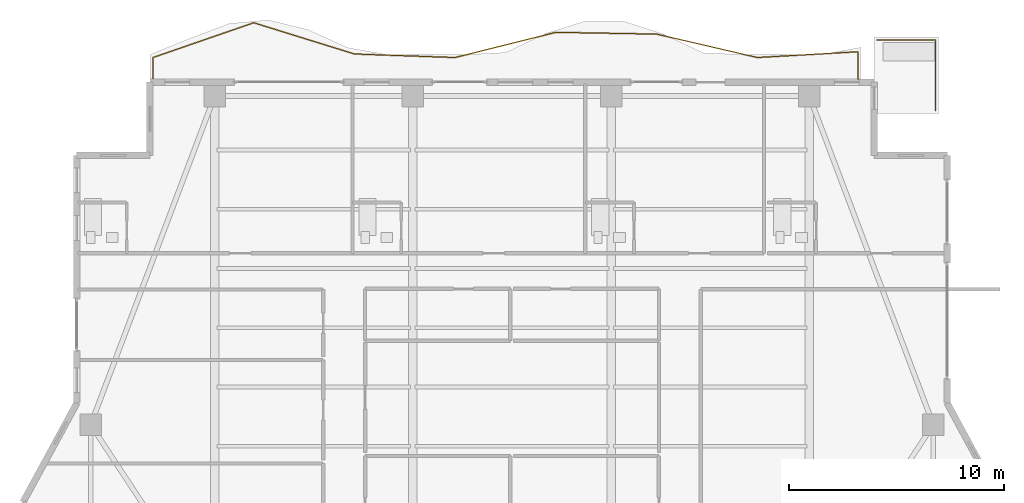
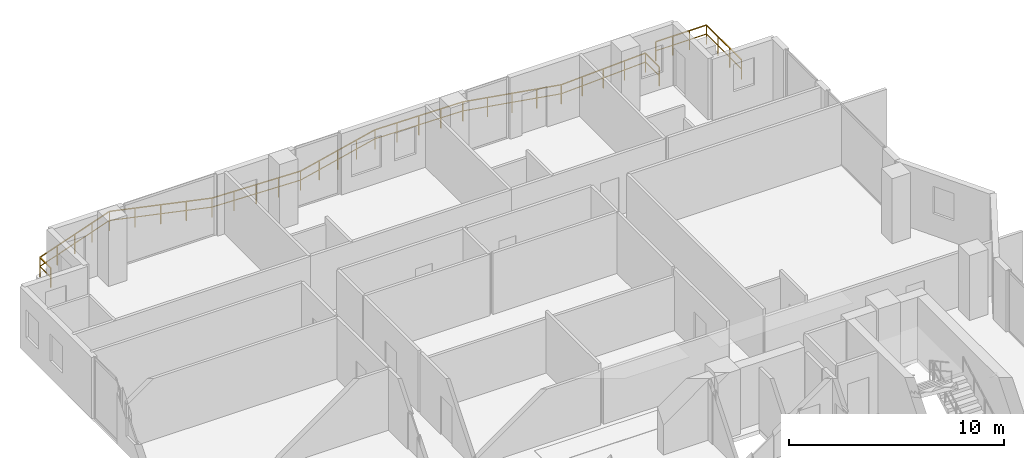
# One storey, part 23 of 24: 2 railings.
"""IFC4 building model written with IfcOpenShell, lengths in metres."""

from ifc_helpers import new_model, si_unit, direction, frame, origin, origin_2d, place, context, subcontext, project, spatial, rectangle, extrude, material, type_object, element, save


model = new_model("IFC4")

# Units and contexts
model_context = context("Model", 3, precision=1e-05, world=origin(), true_north=direction((0.0, 1.0)))
body_context = subcontext(model_context, "Body", "Model", "MODEL_VIEW")
ifc_project = project(units=[si_unit("LENGTHUNIT", "METRE"), si_unit("AREAUNIT", "SQUARE_METRE"), si_unit("VOLUMEUNIT", "CUBIC_METRE"), si_unit("PLANEANGLEUNIT", "RADIAN"), si_unit("MASSUNIT", "GRAM", prefix="KILO")], contexts=[model_context])

# Site, building, storey
site_placement = place(None, origin())
site = spatial("IfcSite", under=ifc_project, at=site_placement, CompositionType="ELEMENT")
building_placement = place(site_placement, origin())
building = spatial("IfcBuilding", under=site, at=building_placement, Name="Zuhayl Quay Hotel", CompositionType="ELEMENT")
storey_placement = place(building_placement, frame((0.0, 0.0, 269.25)))
storey = spatial("IfcBuildingStorey", under=building, at=storey_placement, Name="L68", CompositionType="ELEMENT", Elevation=269.25)

# Railings
ifc_material = material(Name="Anodised Aluminium and Laminated Glass", Category="aluminium")
railing_type = type_object("IfcRailingType", Name="RL_EXT_BAL_1100", PredefinedType="BALUSTRADE", material=ifc_material)
railing_1_placement = place(storey_placement, frame((-16.659912109375, 39.1201171875, 0.0)))
element("IfcRailing", 1, at=railing_1_placement, inside=storey, type_object=railing_type, Name="L68 Balcony and Terrace Guard GR_L68_BAL_N", PredefinedType="BALUSTRADE", context=body_context, shape_type="SweptSolid", body=[
    extrude(rectangle(XDim=0.048095703125, YDim=0.048095703125, at=origin_2d()), frame((0.0, 0.0, 1.09619140625), z_axis=(0.0, 1.0, 0.0), x_axis=(-1.0, 0.0, 0.0)), (0.0, 0.0, 1.0), 1.019775390625),
    extrude(rectangle(XDim=0.0361328125, YDim=0.0361328125, at=origin_2d()), frame((0.0, 0.0, 0.58251953125), z_axis=(0.0, 1.0, 0.0), x_axis=(-1.0, 0.0, 0.0)), (0.0, 0.0, 1.0), 1.019775390625),
    extrude(rectangle(XDim=0.048095703125, YDim=0.048095703125, at=origin_2d()), frame((0.0, 1.019775390625, 1.09619140625), z_axis=(0.945237014092, 0.326384722666, 0.0), x_axis=(-0.326384722666, 0.945237014092, 0.0)), (0.0, 0.0, 1.0), 4.945068359375),
    extrude(rectangle(XDim=0.0361328125, YDim=0.0361328125, at=origin_2d()), frame((0.0, 1.019775390625, 0.58251953125), z_axis=(0.945237014092, 0.326384722666, 0.0), x_axis=(-0.326384722666, 0.945237014092, 0.0)), (0.0, 0.0, 1.0), 4.945068359375),
    extrude(rectangle(XDim=0.048095703125, YDim=0.048095703125, at=origin_2d()), frame((4.67431640625, 2.6337890625, 1.09619140625), z_axis=(0.955090427969, -0.296314485644, 0.0), x_axis=(0.296314485644, 0.955090427969, 0.0)), (0.0, 0.0, 1.0), 4.89404296875),
    extrude(rectangle(XDim=0.0361328125, YDim=0.0361328125, at=origin_2d()), frame((4.67431640625, 2.6337890625, 0.58251953125), z_axis=(0.955090427969, -0.296314485644, 0.0), x_axis=(0.296314485644, 0.955090427969, 0.0)), (0.0, 0.0, 1.0), 4.89404296875),
    extrude(rectangle(XDim=0.048095703125, YDim=0.048095703125, at=origin_2d()), frame((9.3486328125, 1.18359375, 1.09619140625), z_axis=(0.99938637306, -0.035026808896, 0.0), x_axis=(0.035026808896, 0.99938637306, 0.0)), (0.0, 0.0, 1.0), 4.677001953125),
    extrude(rectangle(XDim=0.0361328125, YDim=0.0361328125, at=origin_2d()), frame((9.3486328125, 1.18359375, 0.58251953125), z_axis=(0.99938637306, -0.035026808896, 0.0), x_axis=(0.035026808896, 0.99938637306, 0.0)), (0.0, 0.0, 1.0), 4.677001953125),
    extrude(rectangle(XDim=0.048095703125, YDim=0.048095703125, at=origin_2d()), frame((14.022705078125, 1.019775390625, 1.09619140625), z_axis=(0.970029143549, 0.242988601925, 0.0), x_axis=(-0.242988601925, 0.970029143549, 0.0)), (0.0, 0.0, 1.0), 4.81884765625),
    extrude(rectangle(XDim=0.0361328125, YDim=0.0361328125, at=origin_2d()), frame((14.022705078125, 1.019775390625, 0.58251953125), z_axis=(0.970029143549, 0.242988601925, 0.0), x_axis=(-0.242988601925, 0.970029143549, 0.0)), (0.0, 0.0, 1.0), 4.81884765625),
    extrude(rectangle(XDim=0.048095703125, YDim=0.048095703125, at=origin_2d()), frame((18.697021484375, 2.190673828125, 1.09619140625), z_axis=(0.999838628942, -0.017964300029, 0.0), x_axis=(0.017964300029, 0.999838628942, 0.0)), (0.0, 0.0, 1.0), 4.675048828125),
    extrude(rectangle(XDim=0.0361328125, YDim=0.0361328125, at=origin_2d()), frame((18.697021484375, 2.190673828125, 0.58251953125), z_axis=(0.999838628942, -0.017964300029, 0.0), x_axis=(0.017964300029, 0.999838628942, 0.0)), (0.0, 0.0, 1.0), 4.675048828125),
    extrude(rectangle(XDim=0.048095703125, YDim=0.048095703125, at=origin_2d()), frame((23.371337890625, 2.106689453125, 1.09619140625), z_axis=(0.974014291171, -0.226486557207, 0.0), x_axis=(0.226486557207, 0.974014291171, 0.0)), (0.0, 0.0, 1.0), 4.799072265625),
    extrude(rectangle(XDim=0.0361328125, YDim=0.0361328125, at=origin_2d()), frame((23.371337890625, 2.106689453125, 0.58251953125), z_axis=(0.974014291171, -0.226486557207, 0.0), x_axis=(0.226486557207, 0.974014291171, 0.0)), (0.0, 0.0, 1.0), 4.799072265625),
    extrude(rectangle(XDim=0.048095703125, YDim=0.048095703125, at=origin_2d()), frame((28.045654296875, 1.019775390625, 1.09619140625), z_axis=(0.998350649174, 0.057410637456, 0.0), x_axis=(-0.057410637456, 0.998350649174, 0.0)), (0.0, 0.0, 1.0), 4.68212890625),
    extrude(rectangle(XDim=0.0361328125, YDim=0.0361328125, at=origin_2d()), frame((28.045654296875, 1.019775390625, 0.58251953125), z_axis=(0.998350649174, 0.057410637456, 0.0), x_axis=(-0.057410637456, 0.998350649174, 0.0)), (0.0, 0.0, 1.0), 4.68212890625),
    extrude(rectangle(XDim=0.048095703125, YDim=0.048095703125, at=origin_2d()), frame((32.719970703125, 1.28857421875, 1.09619140625), z_axis=(0.0, -1.0, 0.0), x_axis=(1.0, 0.0, 0.0)), (0.0, 0.0, 1.0), 1.28857421875),
    extrude(rectangle(XDim=0.0361328125, YDim=0.0361328125, at=origin_2d()), frame((32.719970703125, 1.28857421875, 0.58251953125), z_axis=(0.0, -1.0, 0.0), x_axis=(1.0, 0.0, 0.0)), (0.0, 0.0, 1.0), 1.28857421875),
    extrude(rectangle(XDim=0.0419921875, YDim=0.0419921875, at=origin_2d()), origin(), (0.0, 0.0, 1.0), 1.072021484375),
    extrude(rectangle(XDim=0.0419921875, YDim=0.0419921875, at=origin_2d()), frame((0.0, 1.019775390625, 0.0)), (0.0, 0.0, 1.0), 1.072021484375),
    extrude(rectangle(XDim=0.0419921875, YDim=0.0419921875, at=origin_2d()), frame((1.16845703125, 1.42333984375, 0.0)), (0.0, 0.0, 1.0), 1.072021484375),
    extrude(rectangle(XDim=0.0419921875, YDim=0.0419921875, at=origin_2d()), frame((2.337158203125, 1.82666015625, 0.0)), (0.0, 0.0, 1.0), 1.072021484375),
    extrude(rectangle(XDim=0.0419921875, YDim=0.0419921875, at=origin_2d()), frame((3.505859375, 2.230224609375, 0.0)), (0.0, 0.0, 1.0), 1.072021484375),
    extrude(rectangle(XDim=0.0419921875, YDim=0.0419921875, at=origin_2d()), frame((4.67431640625, 2.6337890625, 0.0)), (0.0, 0.0, 1.0), 1.072021484375),
    extrude(rectangle(XDim=0.0419921875, YDim=0.0419921875, at=origin_2d()), frame((5.8427734375, 2.271240234375, 0.0)), (0.0, 0.0, 1.0), 1.072021484375),
    extrude(rectangle(XDim=0.0419921875, YDim=0.0419921875, at=origin_2d()), frame((7.011474609375, 1.90869140625, 0.0)), (0.0, 0.0, 1.0), 1.072021484375),
    extrude(rectangle(XDim=0.0419921875, YDim=0.0419921875, at=origin_2d()), frame((8.18017578125, 1.546142578125, 0.0)), (0.0, 0.0, 1.0), 1.072021484375),
    extrude(rectangle(XDim=0.0419921875, YDim=0.0419921875, at=origin_2d()), frame((9.3486328125, 1.18359375, 0.0)), (0.0, 0.0, 1.0), 1.072021484375),
    extrude(rectangle(XDim=0.0419921875, YDim=0.0419921875, at=origin_2d()), frame((10.51708984375, 1.142578125, 0.0)), (0.0, 0.0, 1.0), 1.072021484375),
    extrude(rectangle(XDim=0.0419921875, YDim=0.0419921875, at=origin_2d()), frame((11.685546875, 1.1015625, 0.0)), (0.0, 0.0, 1.0), 1.072021484375),
    extrude(rectangle(XDim=0.0419921875, YDim=0.0419921875, at=origin_2d()), frame((12.854248046875, 1.060791015625, 0.0)), (0.0, 0.0, 1.0), 1.072021484375),
    extrude(rectangle(XDim=0.0419921875, YDim=0.0419921875, at=origin_2d()), frame((14.022705078125, 1.019775390625, 0.0)), (0.0, 0.0, 1.0), 1.072021484375),
    extrude(rectangle(XDim=0.0419921875, YDim=0.0419921875, at=origin_2d()), frame((15.19140625, 1.3125, 0.0)), (0.0, 0.0, 1.0), 1.072021484375),
    extrude(rectangle(XDim=0.0419921875, YDim=0.0419921875, at=origin_2d()), frame((16.35986328125, 1.605224609375, 0.0)), (0.0, 0.0, 1.0), 1.072021484375),
    extrude(rectangle(XDim=0.0419921875, YDim=0.0419921875, at=origin_2d()), frame((17.5283203125, 1.89794921875, 0.0)), (0.0, 0.0, 1.0), 1.072021484375),
    extrude(rectangle(XDim=0.0419921875, YDim=0.0419921875, at=origin_2d()), frame((18.697021484375, 2.190673828125, 0.0)), (0.0, 0.0, 1.0), 1.072021484375),
    extrude(rectangle(XDim=0.0419921875, YDim=0.0419921875, at=origin_2d()), frame((19.86572265625, 2.169677734375, 0.0)), (0.0, 0.0, 1.0), 1.072021484375),
    extrude(rectangle(XDim=0.0419921875, YDim=0.0419921875, at=origin_2d()), frame((21.0341796875, 2.148681640625, 0.0)), (0.0, 0.0, 1.0), 1.072021484375),
    extrude(rectangle(XDim=0.0419921875, YDim=0.0419921875, at=origin_2d()), frame((22.20263671875, 2.127685546875, 0.0)), (0.0, 0.0, 1.0), 1.072021484375),
    extrude(rectangle(XDim=0.0419921875, YDim=0.0419921875, at=origin_2d()), frame((23.371337890625, 2.106689453125, 0.0)), (0.0, 0.0, 1.0), 1.072021484375),
    extrude(rectangle(XDim=0.0419921875, YDim=0.0419921875, at=origin_2d()), frame((24.5400390625, 1.8349609375, 0.0)), (0.0, 0.0, 1.0), 1.072021484375),
    extrude(rectangle(XDim=0.0419921875, YDim=0.0419921875, at=origin_2d()), frame((25.70849609375, 1.563232421875, 0.0)), (0.0, 0.0, 1.0), 1.072021484375),
    extrude(rectangle(XDim=0.0419921875, YDim=0.0419921875, at=origin_2d()), frame((26.876953125, 1.29150390625, 0.0)), (0.0, 0.0, 1.0), 1.072021484375),
    extrude(rectangle(XDim=0.0419921875, YDim=0.0419921875, at=origin_2d()), frame((28.045654296875, 1.019775390625, 0.0)), (0.0, 0.0, 1.0), 1.072021484375),
    extrude(rectangle(XDim=0.0419921875, YDim=0.0419921875, at=origin_2d()), frame((29.21435546875, 1.0869140625, 0.0)), (0.0, 0.0, 1.0), 1.072021484375),
    extrude(rectangle(XDim=0.0419921875, YDim=0.0419921875, at=origin_2d()), frame((30.3828125, 1.154296875, 0.0)), (0.0, 0.0, 1.0), 1.072021484375),
    extrude(rectangle(XDim=0.0419921875, YDim=0.0419921875, at=origin_2d()), frame((31.55126953125, 1.221435546875, 0.0)), (0.0, 0.0, 1.0), 1.072021484375),
    extrude(rectangle(XDim=0.0419921875, YDim=0.0419921875, at=origin_2d()), frame((32.719970703125, 1.28857421875, 0.0)), (0.0, 0.0, 1.0), 1.072021484375),
    extrude(rectangle(XDim=0.0419921875, YDim=0.0419921875, at=origin_2d()), frame((32.719970703125, 0.0, 0.0)), (0.0, 0.0, 1.0), 1.072021484375),
])
railing_2_placement = place(storey_placement, frame((19.659912109375, 37.68994140625, 0.0)))
element("IfcRailing", 2, at=railing_2_placement, inside=storey, type_object=railing_type, Name="L68 Balcony and Terrace Guard GR_L68_SPIRAL_NE", PredefinedType="BALUSTRADE", context=body_context, shape_type="SweptSolid", body=[
    extrude(rectangle(XDim=0.048095703125, YDim=0.048095703125, at=origin_2d()), frame((0.0, 0.0, 1.09619140625), z_axis=(0.0, 1.0, 0.0), x_axis=(-1.0, 0.0, 0.0)), (0.0, 0.0, 1.0), 3.27001953125),
    extrude(rectangle(XDim=0.0361328125, YDim=0.0361328125, at=origin_2d()), frame((0.0, 0.0, 0.58251953125), z_axis=(0.0, 1.0, 0.0), x_axis=(-1.0, 0.0, 0.0)), (0.0, 0.0, 1.0), 3.27001953125),
    extrude(rectangle(XDim=0.048095703125, YDim=0.048095703125, at=origin_2d()), frame((0.0, 3.27001953125, 1.09619140625), z_axis=(-1.0, 0.0, 0.0), x_axis=(0.0, -1.0, 0.0)), (0.0, 0.0, 1.0), 2.719970703125),
    extrude(rectangle(XDim=0.0361328125, YDim=0.0361328125, at=origin_2d()), frame((0.0, 3.27001953125, 0.58251953125), z_axis=(-1.0, 0.0, 0.0), x_axis=(0.0, -1.0, 0.0)), (0.0, 0.0, 1.0), 2.719970703125),
    extrude(rectangle(XDim=0.0419921875, YDim=0.0419921875, at=origin_2d()), origin(), (0.0, 0.0, 1.0), 1.072021484375),
    extrude(rectangle(XDim=0.0419921875, YDim=0.0419921875, at=origin_2d()), frame((0.0, 1.090087890625, 0.0)), (0.0, 0.0, 1.0), 1.072021484375),
    extrude(rectangle(XDim=0.0419921875, YDim=0.0419921875, at=origin_2d()), frame((0.0, 2.179931640625, 0.0)), (0.0, 0.0, 1.0), 1.072021484375),
    extrude(rectangle(XDim=0.0419921875, YDim=0.0419921875, at=origin_2d()), frame((0.0, 3.27001953125, 0.0)), (0.0, 0.0, 1.0), 1.072021484375),
    extrude(rectangle(XDim=0.0419921875, YDim=0.0419921875, at=origin_2d()), frame((-0.90673828125, 3.27001953125, 0.0)), (0.0, 0.0, 1.0), 1.072021484375),
    extrude(rectangle(XDim=0.0419921875, YDim=0.0419921875, at=origin_2d()), frame((-1.813232421875, 3.27001953125, 0.0)), (0.0, 0.0, 1.0), 1.072021484375),
    extrude(rectangle(XDim=0.0419921875, YDim=0.0419921875, at=origin_2d()), frame((-2.719970703125, 3.27001953125, 0.0)), (0.0, 0.0, 1.0), 1.072021484375),
])

save(model, "model.ifc")
